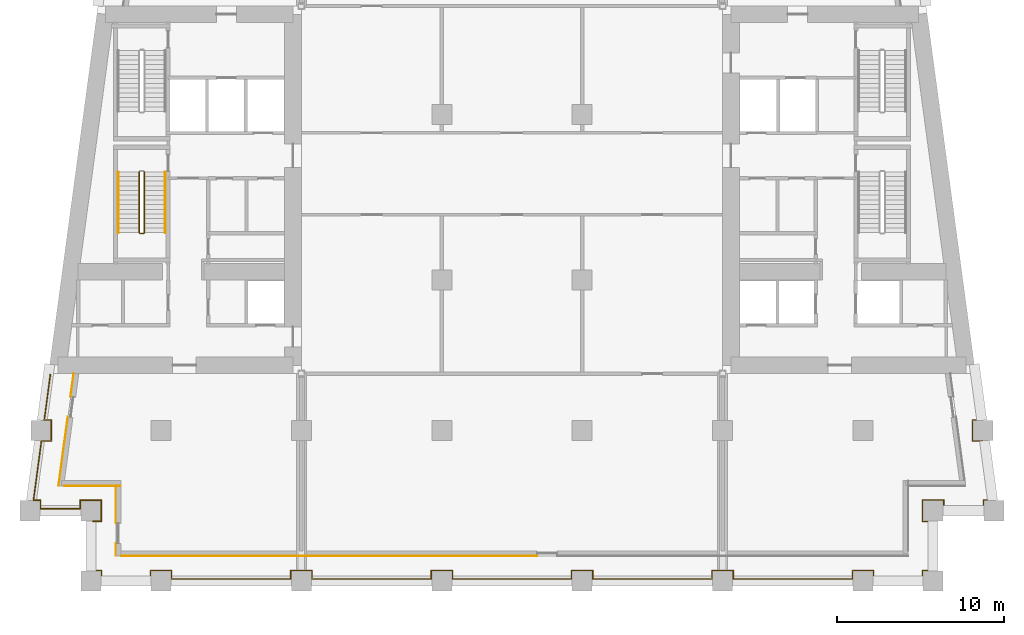
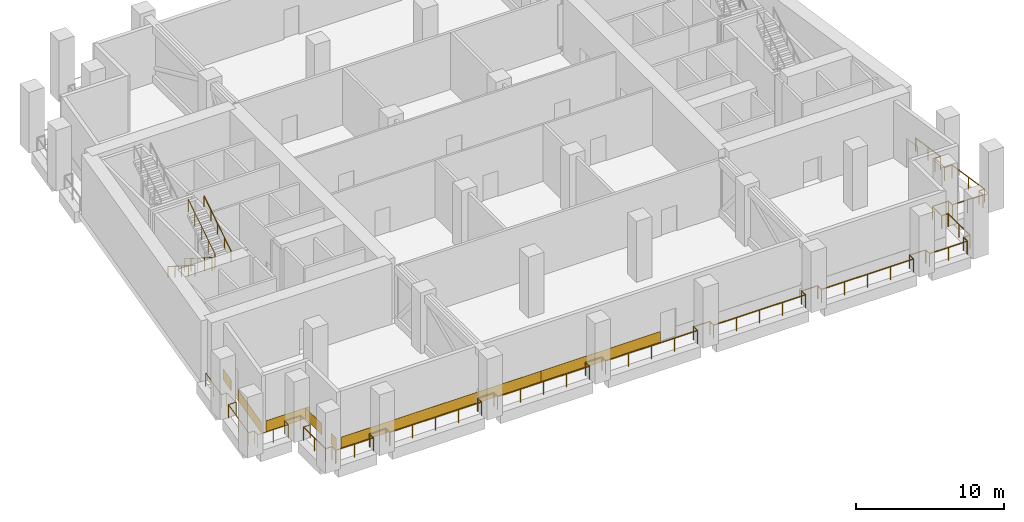
# One storey, part 8 of 11: 7 coverings, 5 railings.
"""IFC4 building model written with IfcOpenShell, lengths in metres."""

from ifc_helpers import new_model, si_unit, direction, frame, origin, origin_2d, place, context, subcontext, project, spatial, rectangle, circle, extrude, material, layer, layer_set, type_object, element, save


model = new_model("IFC4")

# Units and contexts
model_context = context("Model", 3, precision=1e-05, world=origin(), true_north=direction((0.0, 1.0)))
body_context = subcontext(model_context, "Body", "Model", "MODEL_VIEW")
ifc_project = project(units=[si_unit("LENGTHUNIT", "METRE"), si_unit("AREAUNIT", "SQUARE_METRE"), si_unit("VOLUMEUNIT", "CUBIC_METRE"), si_unit("PLANEANGLEUNIT", "RADIAN"), si_unit("MASSUNIT", "GRAM", prefix="KILO")], contexts=[model_context])

# Site, building, storey
site_placement = place(None, origin())
site = spatial("IfcSite", under=ifc_project, at=site_placement, CompositionType="ELEMENT")
building_placement = place(site_placement, origin())
building = spatial("IfcBuilding", under=site, at=building_placement, Name="Candeia Pilgrim Tower and Theatre", CompositionType="ELEMENT")
storey_placement = place(building_placement, frame((0.0, 0.0, 142.800048828125)))
storey = spatial("IfcBuildingStorey", under=building, at=storey_placement, Name="L33", CompositionType="ELEMENT", Elevation=142.800048828125)

# Railings
ifc_material_1 = material(Name="Stainless steel balustrade", Category="steel")
railing_type_1 = type_object("IfcRailingType", Name="G1 loggia guard 1100", PredefinedType="GUARDRAIL", material=ifc_material_1)
railing_1_placement = place(storey_placement, frame((88.320068359375, 101.570068359375, 0.0)))
element("IfcRailing", 1, at=railing_1_placement, inside=storey, type_object=railing_type_1, Name="Guard L33.1", PredefinedType="GUARDRAIL", context=body_context, shape_type="SweptSolid", body=[
    extrude(circle(Radius=0.02392578125, at=origin_2d()), frame((0.0, 0.0, 1.076171875), z_axis=(1.0, 0.0, 0.0), x_axis=(0.0, 1.0, 0.0)), (0.0, 0.0, 1.0), 0.510009765625),
    extrude(circle(Radius=0.02392578125, at=origin_2d()), frame((0.510009765625, 0.0, 1.076171875), z_axis=(0.0, 1.0, 0.0), x_axis=(-1.0, 0.0, 0.0)), (0.0, 0.0, 1.0), 1.260009765625),
    extrude(circle(Radius=0.02392578125, at=origin_2d()), frame((0.510009765625, 1.260009765625, 1.076171875), z_axis=(-1.0, 0.0, 0.0), x_axis=(0.0, -1.0, 0.0)), (0.0, 0.0, 1.0), 1.260009765625),
    extrude(circle(Radius=0.02392578125, at=origin_2d()), frame((-0.75, 1.260009765625, 1.076171875), z_axis=(0.0, -1.0, 0.0), x_axis=(1.0, 0.0, 0.0)), (0.0, 0.0, 1.0), 0.510009765625),
    extrude(circle(Radius=0.02392578125, at=origin_2d()), frame((-0.75, 0.75, 1.076171875), z_axis=(-1.0, 0.0, 0.0), x_axis=(0.0, -1.0, 0.0)), (0.0, 0.0, 1.0), 2.374755859375),
    extrude(circle(Radius=0.02392578125, at=origin_2d()), frame((-3.124755859375, 0.75, 1.076171875), z_axis=(0.0, 1.0, 0.0), x_axis=(-1.0, 0.0, 0.0)), (0.0, 0.0, 1.0), 0.510009765625),
    extrude(circle(Radius=0.02392578125, at=origin_2d()), frame((-3.124755859375, 1.260009765625, 1.076171875), z_axis=(-1.0, 0.0, 0.0), x_axis=(0.0, -1.0, 0.0)), (0.0, 0.0, 1.0), 0.424072265625),
    extrude(circle(Radius=0.02392578125, at=origin_2d()), frame((-3.548828125, 1.260009765625, 1.076171875), z_axis=(0.133417176173, 0.991059966451, 0.0), x_axis=(-0.991059966451, 0.133417176173, 0.0)), (0.0, 0.0, 1.0), 3.572021484375),
    extrude(circle(Radius=0.02392578125, at=origin_2d()), frame((-3.072265625, 4.800048828125, 1.076171875), z_axis=(1.0, 0.0, 0.0), x_axis=(0.0, 1.0, 0.0)), (0.0, 0.0, 1.0), 0.59375),
    extrude(circle(Radius=0.02392578125, at=origin_2d()), frame((-2.478515625, 4.800048828125, 1.076171875), z_axis=(0.0, 1.0, 0.0), x_axis=(-1.0, 0.0, 0.0)), (0.0, 0.0, 1.0), 1.259765625),
    extrude(circle(Radius=0.02392578125, at=origin_2d()), frame((-2.478515625, 6.059814453125, 1.076171875), z_axis=(-1.0, 0.0, 0.0), x_axis=(0.0, -1.0, 0.0)), (0.0, 0.0, 1.0), 0.424072265625),
    extrude(circle(Radius=0.02392578125, at=origin_2d()), frame((-2.902587890625, 6.059814453125, 1.076171875), z_axis=(0.1334220927, 0.991059304572, 0.0), x_axis=(-0.991059304572, 0.1334220927, 0.0)), (0.0, 0.0, 1.0), 2.744873046875),
    extrude(circle(Radius=0.02099609375, at=origin_2d()), origin(), (0.0, 0.0, 1.0), 1.052001953125),
    extrude(circle(Radius=0.02099609375, at=origin_2d()), frame((0.510009765625, 0.0, 0.0)), (0.0, 0.0, 1.0), 1.052001953125),
    extrude(circle(Radius=0.02099609375, at=origin_2d()), frame((0.510009765625, 1.260009765625, 0.0)), (0.0, 0.0, 1.0), 1.052001953125),
    extrude(circle(Radius=0.02099609375, at=origin_2d()), frame((-0.75, 1.260009765625, 0.0)), (0.0, 0.0, 1.0), 1.052001953125),
    extrude(circle(Radius=0.02099609375, at=origin_2d()), frame((-0.75, 0.75, 0.0)), (0.0, 0.0, 1.0), 1.052001953125),
    extrude(circle(Radius=0.02099609375, at=origin_2d()), frame((-1.9375, 0.75, 0.0)), (0.0, 0.0, 1.0), 1.052001953125),
    extrude(circle(Radius=0.02099609375, at=origin_2d()), frame((-3.124755859375, 0.75, 0.0)), (0.0, 0.0, 1.0), 1.052001953125),
    extrude(circle(Radius=0.02099609375, at=origin_2d()), frame((-3.124755859375, 1.260009765625, 0.0)), (0.0, 0.0, 1.0), 1.052001953125),
    extrude(circle(Radius=0.02099609375, at=origin_2d()), frame((-3.548828125, 1.260009765625, 0.0)), (0.0, 0.0, 1.0), 1.052001953125),
    extrude(circle(Radius=0.02099609375, at=origin_2d()), frame((-3.310546875, 3.030029296875, 0.0)), (0.0, 0.0, 1.0), 1.052001953125),
    extrude(circle(Radius=0.02099609375, at=origin_2d()), frame((-3.072265625, 4.800048828125, 0.0)), (0.0, 0.0, 1.0), 1.052001953125),
    extrude(circle(Radius=0.02099609375, at=origin_2d()), frame((-2.478515625, 4.800048828125, 0.0)), (0.0, 0.0, 1.0), 1.052001953125),
    extrude(circle(Radius=0.02099609375, at=origin_2d()), frame((-2.478515625, 6.059814453125, 0.0)), (0.0, 0.0, 1.0), 1.052001953125),
    extrude(circle(Radius=0.02099609375, at=origin_2d()), frame((-2.902587890625, 6.059814453125, 0.0)), (0.0, 0.0, 1.0), 1.052001953125),
    extrude(circle(Radius=0.02099609375, at=origin_2d()), frame((-2.719482421875, 7.419921875, 0.0)), (0.0, 0.0, 1.0), 1.052001953125),
    extrude(circle(Radius=0.02099609375, at=origin_2d()), frame((-2.536376953125, 8.780029296875, 0.0)), (0.0, 0.0, 1.0), 1.052001953125),
])
railing_2_placement = place(storey_placement, frame((141.016357421875, 110.35009765625, 0.0)))
element("IfcRailing", 2, at=railing_2_placement, inside=storey, type_object=railing_type_1, Name="Guard L33.3", PredefinedType="GUARDRAIL", context=body_context, shape_type="SweptSolid", body=[
    extrude(circle(Radius=0.02392578125, at=origin_2d()), frame((0.0, 0.0, 1.076171875), z_axis=(0.1334220927, -0.991059304572, 0.0), x_axis=(0.991059304572, 0.1334220927, 0.0)), (0.0, 0.0, 1.0), 2.744873046875),
    extrude(circle(Radius=0.02392578125, at=origin_2d()), frame((0.3662109375, -2.72021484375, 1.076171875), z_axis=(-1.0, 0.0, 0.0), x_axis=(0.0, -1.0, 0.0)), (0.0, 0.0, 1.0), 0.424072265625),
    extrude(circle(Radius=0.02392578125, at=origin_2d()), frame((-0.057861328125, -2.72021484375, 1.076171875), z_axis=(0.0, -1.0, 0.0), x_axis=(1.0, 0.0, 0.0)), (0.0, 0.0, 1.0), 1.259765625),
    extrude(circle(Radius=0.02392578125, at=origin_2d()), frame((-0.057861328125, -3.97998046875, 1.076171875), z_axis=(1.0, 0.0, 0.0), x_axis=(0.0, 1.0, 0.0)), (0.0, 0.0, 1.0), 0.59375),
    extrude(circle(Radius=0.02392578125, at=origin_2d()), frame((0.535888671875, -3.97998046875, 1.076171875), z_axis=(0.133417176173, -0.991059966451, 0.0), x_axis=(0.991059966451, 0.133417176173, 0.0)), (0.0, 0.0, 1.0), 3.572021484375),
    extrude(circle(Radius=0.02392578125, at=origin_2d()), frame((1.012451171875, -7.52001953125, 1.076171875), z_axis=(-1.0, 0.0, 0.0), x_axis=(0.0, -1.0, 0.0)), (0.0, 0.0, 1.0), 0.424072265625),
    extrude(circle(Radius=0.02392578125, at=origin_2d()), frame((0.58837890625, -7.52001953125, 1.076171875), z_axis=(0.0, -1.0, 0.0), x_axis=(1.0, 0.0, 0.0)), (0.0, 0.0, 1.0), 0.510009765625),
    extrude(circle(Radius=0.02392578125, at=origin_2d()), frame((0.58837890625, -8.030029296875, 1.076171875), z_axis=(-1.0, 0.0, 0.0), x_axis=(0.0, -1.0, 0.0)), (0.0, 0.0, 1.0), 2.374755859375),
    extrude(circle(Radius=0.02392578125, at=origin_2d()), frame((-1.786376953125, -8.030029296875, 1.076171875), z_axis=(0.0, 1.0, 0.0), x_axis=(-1.0, 0.0, 0.0)), (0.0, 0.0, 1.0), 0.510009765625),
    extrude(circle(Radius=0.02392578125, at=origin_2d()), frame((-1.786376953125, -7.52001953125, 1.076171875), z_axis=(-1.0, 0.0, 0.0), x_axis=(0.0, -1.0, 0.0)), (0.0, 0.0, 1.0), 1.260009765625),
    extrude(circle(Radius=0.02392578125, at=origin_2d()), frame((-3.04638671875, -7.52001953125, 1.076171875), z_axis=(0.0, -1.0, 0.0), x_axis=(1.0, 0.0, 0.0)), (0.0, 0.0, 1.0), 1.260009765625),
    extrude(circle(Radius=0.02392578125, at=origin_2d()), frame((-3.04638671875, -8.780029296875, 1.076171875), z_axis=(1.0, 0.0, 0.0), x_axis=(0.0, 1.0, 0.0)), (0.0, 0.0, 1.0), 0.510009765625),
    extrude(circle(Radius=0.02392578125, at=origin_2d()), frame((-2.536376953125, -8.780029296875, 1.076171875), z_axis=(0.0, -1.0, 0.0), x_axis=(1.0, 0.0, 0.0)), (0.0, 0.0, 1.0), 2.940185546875),
    extrude(circle(Radius=0.02392578125, at=origin_2d()), frame((-2.536376953125, -11.72021484375, 1.076171875), z_axis=(-1.0, 0.0, 0.0), x_axis=(0.0, -1.0, 0.0)), (0.0, 0.0, 1.0), 0.510009765625),
    extrude(circle(Radius=0.02392578125, at=origin_2d()), frame((-3.04638671875, -11.72021484375, 1.076171875), z_axis=(0.0, -1.0, 0.0), x_axis=(1.0, 0.0, 0.0)), (0.0, 0.0, 1.0), 0.509765625),
    extrude(circle(Radius=0.02392578125, at=origin_2d()), frame((-3.04638671875, -12.22998046875, 1.076171875), z_axis=(-1.0, 0.0, 0.0), x_axis=(0.0, -1.0, 0.0)), (0.0, 0.0, 1.0), 2.93994140625),
    extrude(circle(Radius=0.02392578125, at=origin_2d()), frame((-5.986328125, -12.22998046875, 1.076171875), z_axis=(0.0, 1.0, 0.0), x_axis=(-1.0, 0.0, 0.0)), (0.0, 0.0, 1.0), 0.509765625),
    extrude(circle(Radius=0.02392578125, at=origin_2d()), frame((-5.986328125, -11.72021484375, 1.076171875), z_axis=(-1.0, 0.0, 0.0), x_axis=(0.0, -1.0, 0.0)), (0.0, 0.0, 1.0), 1.260009765625),
    extrude(circle(Radius=0.02392578125, at=origin_2d()), frame((-7.246337890625, -11.72021484375, 1.076171875), z_axis=(0.0, -1.0, 0.0), x_axis=(1.0, 0.0, 0.0)), (0.0, 0.0, 1.0), 0.509765625),
    extrude(circle(Radius=0.02392578125, at=origin_2d()), frame((-7.246337890625, -12.22998046875, 1.076171875), z_axis=(-1.0, 0.0, 0.0), x_axis=(0.0, -1.0, 0.0)), (0.0, 0.0, 1.0), 7.14013671875),
    extrude(circle(Radius=0.02392578125, at=origin_2d()), frame((-14.386474609375, -12.22998046875, 1.076171875), z_axis=(0.0, 1.0, 0.0), x_axis=(-1.0, 0.0, 0.0)), (0.0, 0.0, 1.0), 0.509765625),
    extrude(circle(Radius=0.02392578125, at=origin_2d()), frame((-14.386474609375, -11.72021484375, 1.076171875), z_axis=(-1.0, 0.0, 0.0), x_axis=(0.0, -1.0, 0.0)), (0.0, 0.0, 1.0), 1.259765625),
    extrude(circle(Radius=0.02392578125, at=origin_2d()), frame((-15.646240234375, -11.72021484375, 1.076171875), z_axis=(0.0, -1.0, 0.0), x_axis=(1.0, 0.0, 0.0)), (0.0, 0.0, 1.0), 0.509765625),
    extrude(circle(Radius=0.02392578125, at=origin_2d()), frame((-15.646240234375, -12.22998046875, 1.076171875), z_axis=(-1.0, 0.0, 0.0), x_axis=(0.0, -1.0, 0.0)), (0.0, 0.0, 1.0), 7.14013671875),
    extrude(circle(Radius=0.02392578125, at=origin_2d()), frame((-22.786376953125, -12.22998046875, 1.076171875), z_axis=(0.0, 1.0, 0.0), x_axis=(-1.0, 0.0, 0.0)), (0.0, 0.0, 1.0), 0.509765625),
    extrude(circle(Radius=0.02392578125, at=origin_2d()), frame((-22.786376953125, -11.72021484375, 1.076171875), z_axis=(-1.0, 0.0, 0.0), x_axis=(0.0, -1.0, 0.0)), (0.0, 0.0, 1.0), 1.260009765625),
    extrude(circle(Radius=0.02392578125, at=origin_2d()), frame((-24.04638671875, -11.72021484375, 1.076171875), z_axis=(0.0, -1.0, 0.0), x_axis=(1.0, 0.0, 0.0)), (0.0, 0.0, 1.0), 0.509765625),
    extrude(circle(Radius=0.02392578125, at=origin_2d()), frame((-24.04638671875, -12.22998046875, 1.076171875), z_axis=(-1.0, 0.0, 0.0), x_axis=(0.0, -1.0, 0.0)), (0.0, 0.0, 1.0), 7.139892578125),
    extrude(circle(Radius=0.02392578125, at=origin_2d()), frame((-31.186279296875, -12.22998046875, 1.076171875), z_axis=(0.0, 1.0, 0.0), x_axis=(-1.0, 0.0, 0.0)), (0.0, 0.0, 1.0), 0.509765625),
    extrude(circle(Radius=0.02392578125, at=origin_2d()), frame((-31.186279296875, -11.72021484375, 1.076171875), z_axis=(-1.0, 0.0, 0.0), x_axis=(0.0, -1.0, 0.0)), (0.0, 0.0, 1.0), 1.260009765625),
    extrude(circle(Radius=0.02392578125, at=origin_2d()), frame((-32.4462890625, -11.72021484375, 1.076171875), z_axis=(0.0, -1.0, 0.0), x_axis=(1.0, 0.0, 0.0)), (0.0, 0.0, 1.0), 0.509765625),
    extrude(circle(Radius=0.02392578125, at=origin_2d()), frame((-32.4462890625, -12.22998046875, 1.076171875), z_axis=(-1.0, 0.0, 0.0), x_axis=(0.0, -1.0, 0.0)), (0.0, 0.0, 1.0), 7.14013671875),
    extrude(circle(Radius=0.02392578125, at=origin_2d()), frame((-39.58642578125, -12.22998046875, 1.076171875), z_axis=(0.0, 1.0, 0.0), x_axis=(-1.0, 0.0, 0.0)), (0.0, 0.0, 1.0), 0.509765625),
    extrude(circle(Radius=0.02392578125, at=origin_2d()), frame((-39.58642578125, -11.72021484375, 1.076171875), z_axis=(-1.0, 0.0, 0.0), x_axis=(0.0, -1.0, 0.0)), (0.0, 0.0, 1.0), 1.260009765625),
    extrude(circle(Radius=0.02392578125, at=origin_2d()), frame((-40.846435546875, -11.72021484375, 1.076171875), z_axis=(0.0, -1.0, 0.0), x_axis=(1.0, 0.0, 0.0)), (0.0, 0.0, 1.0), 0.509765625),
    extrude(circle(Radius=0.02392578125, at=origin_2d()), frame((-40.846435546875, -12.22998046875, 1.076171875), z_axis=(-1.0, 0.0, 0.0), x_axis=(0.0, -1.0, 0.0)), (0.0, 0.0, 1.0), 7.139892578125),
    extrude(circle(Radius=0.02392578125, at=origin_2d()), frame((-47.986328125, -12.22998046875, 1.076171875), z_axis=(0.0, 1.0, 0.0), x_axis=(-1.0, 0.0, 0.0)), (0.0, 0.0, 1.0), 0.509765625),
    extrude(circle(Radius=0.02392578125, at=origin_2d()), frame((-47.986328125, -11.72021484375, 1.076171875), z_axis=(-1.0, 0.0, 0.0), x_axis=(0.0, -1.0, 0.0)), (0.0, 0.0, 1.0), 1.260009765625),
    extrude(circle(Radius=0.02392578125, at=origin_2d()), frame((-49.246337890625, -11.72021484375, 1.076171875), z_axis=(0.0, -1.0, 0.0), x_axis=(1.0, 0.0, 0.0)), (0.0, 0.0, 1.0), 0.509765625),
    extrude(circle(Radius=0.02392578125, at=origin_2d()), frame((-49.246337890625, -12.22998046875, 1.076171875), z_axis=(-1.0, 0.0, 0.0), x_axis=(0.0, -1.0, 0.0)), (0.0, 0.0, 1.0), 2.93994140625),
    extrude(circle(Radius=0.02392578125, at=origin_2d()), frame((-52.186279296875, -12.22998046875, 1.076171875), z_axis=(0.0, 1.0, 0.0), x_axis=(-1.0, 0.0, 0.0)), (0.0, 0.0, 1.0), 0.509765625),
    extrude(circle(Radius=0.02392578125, at=origin_2d()), frame((-52.186279296875, -11.72021484375, 1.076171875), z_axis=(-1.0, 0.0, 0.0), x_axis=(0.0, -1.0, 0.0)), (0.0, 0.0, 1.0), 0.510009765625),
    extrude(circle(Radius=0.02392578125, at=origin_2d()), frame((-52.6962890625, -11.72021484375, 1.076171875), z_axis=(0.0, 1.0, 0.0), x_axis=(-1.0, 0.0, 0.0)), (0.0, 0.0, 1.0), 2.940185546875),
    extrude(circle(Radius=0.02099609375, at=origin_2d()), origin(), (0.0, 0.0, 1.0), 1.052001953125),
    extrude(circle(Radius=0.02099609375, at=origin_2d()), frame((0.18310546875, -1.360107421875, 0.0)), (0.0, 0.0, 1.0), 1.052001953125),
    extrude(circle(Radius=0.02099609375, at=origin_2d()), frame((0.3662109375, -2.72021484375, 0.0)), (0.0, 0.0, 1.0), 1.052001953125),
    extrude(circle(Radius=0.02099609375, at=origin_2d()), frame((-0.057861328125, -2.72021484375, 0.0)), (0.0, 0.0, 1.0), 1.052001953125),
    extrude(circle(Radius=0.02099609375, at=origin_2d()), frame((-0.057861328125, -3.97998046875, 0.0)), (0.0, 0.0, 1.0), 1.052001953125),
    extrude(circle(Radius=0.02099609375, at=origin_2d()), frame((0.535888671875, -3.97998046875, 0.0)), (0.0, 0.0, 1.0), 1.052001953125),
    extrude(circle(Radius=0.02099609375, at=origin_2d()), frame((0.774169921875, -5.75, 0.0)), (0.0, 0.0, 1.0), 1.052001953125),
    extrude(circle(Radius=0.02099609375, at=origin_2d()), frame((1.012451171875, -7.52001953125, 0.0)), (0.0, 0.0, 1.0), 1.052001953125),
    extrude(circle(Radius=0.02099609375, at=origin_2d()), frame((0.58837890625, -7.52001953125, 0.0)), (0.0, 0.0, 1.0), 1.052001953125),
    extrude(circle(Radius=0.02099609375, at=origin_2d()), frame((0.58837890625, -8.030029296875, 0.0)), (0.0, 0.0, 1.0), 1.052001953125),
    extrude(circle(Radius=0.02099609375, at=origin_2d()), frame((-0.59912109375, -8.030029296875, 0.0)), (0.0, 0.0, 1.0), 1.052001953125),
    extrude(circle(Radius=0.02099609375, at=origin_2d()), frame((-1.786376953125, -8.030029296875, 0.0)), (0.0, 0.0, 1.0), 1.052001953125),
    extrude(circle(Radius=0.02099609375, at=origin_2d()), frame((-1.786376953125, -7.52001953125, 0.0)), (0.0, 0.0, 1.0), 1.052001953125),
    extrude(circle(Radius=0.02099609375, at=origin_2d()), frame((-3.04638671875, -7.52001953125, 0.0)), (0.0, 0.0, 1.0), 1.052001953125),
    extrude(circle(Radius=0.02099609375, at=origin_2d()), frame((-3.04638671875, -8.780029296875, 0.0)), (0.0, 0.0, 1.0), 1.052001953125),
    extrude(circle(Radius=0.02099609375, at=origin_2d()), frame((-2.536376953125, -8.780029296875, 0.0)), (0.0, 0.0, 1.0), 1.052001953125),
    extrude(circle(Radius=0.02099609375, at=origin_2d()), frame((-2.536376953125, -10.25, 0.0)), (0.0, 0.0, 1.0), 1.052001953125),
    extrude(circle(Radius=0.02099609375, at=origin_2d()), frame((-2.536376953125, -11.72021484375, 0.0)), (0.0, 0.0, 1.0), 1.052001953125),
    extrude(circle(Radius=0.02099609375, at=origin_2d()), frame((-3.04638671875, -11.72021484375, 0.0)), (0.0, 0.0, 1.0), 1.052001953125),
    extrude(circle(Radius=0.02099609375, at=origin_2d()), frame((-3.04638671875, -12.22998046875, 0.0)), (0.0, 0.0, 1.0), 1.052001953125),
    extrude(circle(Radius=0.02099609375, at=origin_2d()), frame((-4.516357421875, -12.22998046875, 0.0)), (0.0, 0.0, 1.0), 1.052001953125),
    extrude(circle(Radius=0.02099609375, at=origin_2d()), frame((-5.986328125, -12.22998046875, 0.0)), (0.0, 0.0, 1.0), 1.052001953125),
    extrude(circle(Radius=0.02099609375, at=origin_2d()), frame((-5.986328125, -11.72021484375, 0.0)), (0.0, 0.0, 1.0), 1.052001953125),
    extrude(circle(Radius=0.02099609375, at=origin_2d()), frame((-7.246337890625, -11.72021484375, 0.0)), (0.0, 0.0, 1.0), 1.052001953125),
    extrude(circle(Radius=0.02099609375, at=origin_2d()), frame((-7.246337890625, -12.22998046875, 0.0)), (0.0, 0.0, 1.0), 1.052001953125),
    extrude(circle(Radius=0.02099609375, at=origin_2d()), frame((-9.03125, -12.22998046875, 0.0)), (0.0, 0.0, 1.0), 1.052001953125),
    extrude(circle(Radius=0.02099609375, at=origin_2d()), frame((-10.81640625, -12.22998046875, 0.0)), (0.0, 0.0, 1.0), 1.052001953125),
    extrude(circle(Radius=0.02099609375, at=origin_2d()), frame((-12.6015625, -12.22998046875, 0.0)), (0.0, 0.0, 1.0), 1.052001953125),
    extrude(circle(Radius=0.02099609375, at=origin_2d()), frame((-14.386474609375, -12.22998046875, 0.0)), (0.0, 0.0, 1.0), 1.052001953125),
    extrude(circle(Radius=0.02099609375, at=origin_2d()), frame((-14.386474609375, -11.72021484375, 0.0)), (0.0, 0.0, 1.0), 1.052001953125),
    extrude(circle(Radius=0.02099609375, at=origin_2d()), frame((-15.646240234375, -11.72021484375, 0.0)), (0.0, 0.0, 1.0), 1.052001953125),
    extrude(circle(Radius=0.02099609375, at=origin_2d()), frame((-15.646240234375, -12.22998046875, 0.0)), (0.0, 0.0, 1.0), 1.052001953125),
    extrude(circle(Radius=0.02099609375, at=origin_2d()), frame((-17.43115234375, -12.22998046875, 0.0)), (0.0, 0.0, 1.0), 1.052001953125),
    extrude(circle(Radius=0.02099609375, at=origin_2d()), frame((-19.21630859375, -12.22998046875, 0.0)), (0.0, 0.0, 1.0), 1.052001953125),
    extrude(circle(Radius=0.02099609375, at=origin_2d()), frame((-21.00146484375, -12.22998046875, 0.0)), (0.0, 0.0, 1.0), 1.052001953125),
    extrude(circle(Radius=0.02099609375, at=origin_2d()), frame((-22.786376953125, -12.22998046875, 0.0)), (0.0, 0.0, 1.0), 1.052001953125),
    extrude(circle(Radius=0.02099609375, at=origin_2d()), frame((-22.786376953125, -11.72021484375, 0.0)), (0.0, 0.0, 1.0), 1.052001953125),
    extrude(circle(Radius=0.02099609375, at=origin_2d()), frame((-24.04638671875, -11.72021484375, 0.0)), (0.0, 0.0, 1.0), 1.052001953125),
    extrude(circle(Radius=0.02099609375, at=origin_2d()), frame((-24.04638671875, -12.22998046875, 0.0)), (0.0, 0.0, 1.0), 1.052001953125),
    extrude(circle(Radius=0.02099609375, at=origin_2d()), frame((-25.831298828125, -12.22998046875, 0.0)), (0.0, 0.0, 1.0), 1.052001953125),
    extrude(circle(Radius=0.02099609375, at=origin_2d()), frame((-27.6162109375, -12.22998046875, 0.0)), (0.0, 0.0, 1.0), 1.052001953125),
    extrude(circle(Radius=0.02099609375, at=origin_2d()), frame((-29.4013671875, -12.22998046875, 0.0)), (0.0, 0.0, 1.0), 1.052001953125),
    extrude(circle(Radius=0.02099609375, at=origin_2d()), frame((-31.186279296875, -12.22998046875, 0.0)), (0.0, 0.0, 1.0), 1.052001953125),
    extrude(circle(Radius=0.02099609375, at=origin_2d()), frame((-31.186279296875, -11.72021484375, 0.0)), (0.0, 0.0, 1.0), 1.052001953125),
    extrude(circle(Radius=0.02099609375, at=origin_2d()), frame((-32.4462890625, -11.72021484375, 0.0)), (0.0, 0.0, 1.0), 1.052001953125),
    extrude(circle(Radius=0.02099609375, at=origin_2d()), frame((-32.4462890625, -12.22998046875, 0.0)), (0.0, 0.0, 1.0), 1.052001953125),
    extrude(circle(Radius=0.02099609375, at=origin_2d()), frame((-34.2314453125, -12.22998046875, 0.0)), (0.0, 0.0, 1.0), 1.052001953125),
    extrude(circle(Radius=0.02099609375, at=origin_2d()), frame((-36.016357421875, -12.22998046875, 0.0)), (0.0, 0.0, 1.0), 1.052001953125),
    extrude(circle(Radius=0.02099609375, at=origin_2d()), frame((-37.80126953125, -12.22998046875, 0.0)), (0.0, 0.0, 1.0), 1.052001953125),
    extrude(circle(Radius=0.02099609375, at=origin_2d()), frame((-39.58642578125, -12.22998046875, 0.0)), (0.0, 0.0, 1.0), 1.052001953125),
    extrude(circle(Radius=0.02099609375, at=origin_2d()), frame((-39.58642578125, -11.72021484375, 0.0)), (0.0, 0.0, 1.0), 1.052001953125),
    extrude(circle(Radius=0.02099609375, at=origin_2d()), frame((-40.846435546875, -11.72021484375, 0.0)), (0.0, 0.0, 1.0), 1.052001953125),
    extrude(circle(Radius=0.02099609375, at=origin_2d()), frame((-40.846435546875, -12.22998046875, 0.0)), (0.0, 0.0, 1.0), 1.052001953125),
    extrude(circle(Radius=0.02099609375, at=origin_2d()), frame((-42.63134765625, -12.22998046875, 0.0)), (0.0, 0.0, 1.0), 1.052001953125),
    extrude(circle(Radius=0.02099609375, at=origin_2d()), frame((-44.41650390625, -12.22998046875, 0.0)), (0.0, 0.0, 1.0), 1.052001953125),
    extrude(circle(Radius=0.02099609375, at=origin_2d()), frame((-46.201416015625, -12.22998046875, 0.0)), (0.0, 0.0, 1.0), 1.052001953125),
    extrude(circle(Radius=0.02099609375, at=origin_2d()), frame((-47.986328125, -12.22998046875, 0.0)), (0.0, 0.0, 1.0), 1.052001953125),
    extrude(circle(Radius=0.02099609375, at=origin_2d()), frame((-47.986328125, -11.72021484375, 0.0)), (0.0, 0.0, 1.0), 1.052001953125),
    extrude(circle(Radius=0.02099609375, at=origin_2d()), frame((-49.246337890625, -11.72021484375, 0.0)), (0.0, 0.0, 1.0), 1.052001953125),
    extrude(circle(Radius=0.02099609375, at=origin_2d()), frame((-49.246337890625, -12.22998046875, 0.0)), (0.0, 0.0, 1.0), 1.052001953125),
    extrude(circle(Radius=0.02099609375, at=origin_2d()), frame((-50.71630859375, -12.22998046875, 0.0)), (0.0, 0.0, 1.0), 1.052001953125),
    extrude(circle(Radius=0.02099609375, at=origin_2d()), frame((-52.186279296875, -12.22998046875, 0.0)), (0.0, 0.0, 1.0), 1.052001953125),
    extrude(circle(Radius=0.02099609375, at=origin_2d()), frame((-52.186279296875, -11.72021484375, 0.0)), (0.0, 0.0, 1.0), 1.052001953125),
    extrude(circle(Radius=0.02099609375, at=origin_2d()), frame((-52.6962890625, -11.72021484375, 0.0)), (0.0, 0.0, 1.0), 1.052001953125),
    extrude(circle(Radius=0.02099609375, at=origin_2d()), frame((-52.6962890625, -10.25, 0.0)), (0.0, 0.0, 1.0), 1.052001953125),
    extrude(circle(Radius=0.02099609375, at=origin_2d()), frame((-52.6962890625, -8.780029296875, 0.0)), (0.0, 0.0, 1.0), 1.052001953125),
])

# Coverings
ifc_material_2 = material(Name="Glazed ceramic tile red")
ifc_layer_1 = layer(ifc_material_2, 0.02001953125)
ifc_layer_set_1 = layer_set([ifc_layer_1], Name="Glazed ceramic tile red")
covering_type_1 = type_object("IfcCoveringType", Name="Glazed ceramic tile red", PredefinedType="CLADDING", material=ifc_layer_set_1)
covering_1_placement = place(storey_placement, frame((110.25, 99.489990234375, 0.0), z_axis=(0.0, 0.0, 1.0), x_axis=(1.0, 0.0, 0.0)))
element("IfcCovering", 3, at=covering_1_placement, inside=storey, type_object=covering_type_1, Name="Tile cladding red L33", PredefinedType="CLADDING", context=body_context, shape_type="SweptSolid", body=[
    extrude(rectangle(XDim=9.300048828125, YDim=0.02001953125, at=origin_2d()), origin(), (0.0, 0.0, 1.0), 0.89990234375),
])
ifc_material_3 = material(Name="Glazed ceramic tile rust")
ifc_layer_2 = layer(ifc_material_3, 0.02001953125)
ifc_layer_set_2 = layer_set([ifc_layer_2], Name="Glazed ceramic tile rust")
covering_type_2 = type_object("IfcCoveringType", Name="Glazed ceramic tile rust", PredefinedType="CLADDING", material=ifc_layer_set_2)
covering_2_placement = place(storey_placement, frame((97.81005859375, 99.489990234375, 0.0), z_axis=(0.0, 0.0, 1.0), x_axis=(1.0, 0.0, 0.0)))
element("IfcCovering", 4, at=covering_2_placement, inside=storey, type_object=covering_type_2, Name="Tile cladding rust L33", PredefinedType="CLADDING", context=body_context, shape_type="SweptSolid", body=[
    extrude(rectangle(XDim=15.580078125, YDim=0.02001953125, at=origin_2d()), origin(), (0.0, 0.0, 1.0), 0.89990234375),
])
covering_3_placement = place(storey_placement, frame((87.0810546875, 109.71875, 0.0), z_axis=(0.0, 0.0, 1.0), x_axis=(-0.133412012145, -0.991060661622, 0.0)))
element("IfcCovering", 5, at=covering_3_placement, inside=storey, type_object=covering_type_2, Name="Tile cladding rust L33", PredefinedType="CLADDING", context=body_context, shape_type="SweptSolid", body=[
    extrude(rectangle(XDim=1.41796875, YDim=0.02001953125, at=origin_2d()), origin(), (0.0, 0.0, 1.0), 0.89990234375),
])
covering_4_placement = place(storey_placement, frame((86.548583984375, 105.763916015625, 0.0), z_axis=(0.0, 0.0, 1.0), x_axis=(-0.133412012145, -0.991060661622, 0.0)))
element("IfcCovering", 6, at=covering_4_placement, inside=storey, type_object=covering_type_2, Name="Tile cladding rust L33", PredefinedType="CLADDING", context=body_context, shape_type="SweptSolid", body=[
    extrude(rectangle(XDim=4.16259765625, YDim=0.02001953125, at=origin_2d()), origin(), (0.0, 0.0, 1.0), 0.89990234375),
])
covering_5_placement = place(storey_placement, frame((88.311279296875, 103.68994140625, 0.0), z_axis=(0.0, 0.0, 1.0), x_axis=(1.0, 0.0, 0.0)))
element("IfcCovering", 7, at=covering_5_placement, inside=storey, type_object=covering_type_2, Name="Tile cladding rust L33", PredefinedType="CLADDING", context=body_context, shape_type="SweptSolid", body=[
    extrude(rectangle(XDim=3.377685546875, YDim=0.02001953125, at=origin_2d()), origin(), (0.0, 0.0, 1.0), 0.89990234375),
])
covering_6_placement = place(storey_placement, frame((89.68994140625, 102.56494140625, 0.0), z_axis=(0.0, 0.0, 1.0), x_axis=(0.0, -1.0, 0.0)))
element("IfcCovering", 8, at=covering_6_placement, inside=storey, type_object=covering_type_2, Name="Tile cladding rust L33", PredefinedType="CLADDING", context=body_context, shape_type="SweptSolid", body=[
    extrude(rectangle(XDim=2.22998046875, YDim=0.02001953125, at=origin_2d()), origin(), (0.0, 0.0, 1.0), 0.89990234375),
])
covering_7_placement = place(storey_placement, frame((89.68994140625, 99.875, 0.0), z_axis=(0.0, 0.0, 1.0), x_axis=(0.0, -1.0, 0.0)))
element("IfcCovering", 9, at=covering_7_placement, inside=storey, type_object=covering_type_2, Name="Tile cladding rust L33", PredefinedType="CLADDING", context=body_context, shape_type="SweptSolid", body=[
    extrude(rectangle(XDim=0.75, YDim=0.02001953125, at=origin_2d()), origin(), (0.0, 0.0, 1.0), 0.89990234375),
])

# Railings
railing_type_2 = type_object("IfcRailingType", Name="RL-GUARD-1100", PredefinedType="GUARDRAIL", material=ifc_material_1)
railing_3_placement = place(storey_placement, frame((91.10205078125, 122.47509765625, 0.178466796875)))
element("IfcRailing", 10, at=railing_3_placement, inside=storey, type_object=railing_type_2, Name="L33 ST1 stair guard 1", PredefinedType="GUARDRAIL", context=body_context, shape_type="SweptSolid", body=[
    extrude(circle(Radius=0.02392578125, at=origin_2d()), frame((0.0, 0.0, 1.076171875), z_axis=(0.0, -0.843127859045, 0.537713132908), x_axis=(1.0, 0.0, 0.0)), (0.0, 0.0, 1.0), 4.3173828125),
    extrude(circle(Radius=0.02392578125, at=origin_2d()), frame((0.0, -3.64013671875, 3.3974609375), z_axis=(0.707106781187, -0.707106781187, 0.0), x_axis=(0.707106781187, 0.707106781187, 0.0)), (0.0, 0.0, 1.0), 0.07080078125),
    extrude(circle(Radius=0.02392578125, at=origin_2d()), frame((0.050048828125, -3.690185546875, 3.3974609375), z_axis=(1.0, 0.0, 0.0), x_axis=(0.0, 1.0, 0.0)), (0.0, 0.0, 1.0), 0.199951171875),
    extrude(circle(Radius=0.02392578125, at=origin_2d()), frame((0.25, -3.690185546875, 3.3974609375), z_axis=(0.260684529273, 0.260684529273, 0.929562882432), x_axis=(-0.707106781187, 0.707106781187, 0.0)), (0.0, 0.0, 1.0), 0.19189453125),
    extrude(circle(Radius=0.02392578125, at=origin_2d()), frame((0.300048828125, -3.64013671875, 3.576171875), z_axis=(0.0, 0.843127859045, 0.537713132908), x_axis=(-1.0, 0.0, 0.0)), (0.0, 0.0, 1.0), 4.3173828125),
    extrude(circle(Radius=0.02099609375, at=origin_2d()), origin(), (0.0, 0.0, 1.0), 1.052001953125),
    extrude(circle(Radius=0.02099609375, at=origin_2d()), frame((0.0, -0.91015625, 0.580322265625)), (0.0, 0.0, 1.0), 1.052001953125),
    extrude(circle(Radius=0.02099609375, at=origin_2d()), frame((0.0, -1.820068359375, 1.16064453125)), (0.0, 0.0, 1.0), 1.052001953125),
    extrude(circle(Radius=0.02099609375, at=origin_2d()), frame((0.0, -2.72998046875, 1.7412109375)), (0.0, 0.0, 1.0), 1.052001953125),
    extrude(circle(Radius=0.02099609375, at=origin_2d()), frame((0.0, -3.64013671875, 2.321533203125)), (0.0, 0.0, 1.0), 1.052001953125),
    extrude(circle(Radius=0.02099609375, at=origin_2d()), frame((0.050048828125, -3.690185546875, 2.321533203125)), (0.0, 0.0, 1.0), 1.052001953125),
    extrude(circle(Radius=0.02099609375, at=origin_2d()), frame((0.25, -3.690185546875, 2.321533203125)), (0.0, 0.0, 1.0), 1.052001953125),
    extrude(circle(Radius=0.02099609375, at=origin_2d()), frame((0.300048828125, -3.64013671875, 2.5)), (0.0, 0.0, 1.0), 1.052001953125),
    extrude(circle(Radius=0.02099609375, at=origin_2d()), frame((0.300048828125, -2.72998046875, 3.080322265625)), (0.0, 0.0, 1.0), 1.052001953125),
    extrude(circle(Radius=0.02099609375, at=origin_2d()), frame((0.300048828125, -1.820068359375, 3.66064453125)), (0.0, 0.0, 1.0), 1.052001953125),
    extrude(circle(Radius=0.02099609375, at=origin_2d()), frame((0.300048828125, -0.91015625, 4.2412109375)), (0.0, 0.0, 1.0), 1.052001953125),
    extrude(circle(Radius=0.02099609375, at=origin_2d()), frame((0.300048828125, 0.0, 4.821533203125)), (0.0, 0.0, 1.0), 1.052001953125),
])
ifc_material_4 = material(Name="Stainless steel handrail", Category="steel")
railing_type_3 = type_object("IfcRailingType", Name="RL-HANDRAIL-900", PredefinedType="HANDRAIL", material=ifc_material_4)
railing_4_placement = place(storey_placement, frame((89.85205078125, 122.47509765625, 0.178466796875)))
element("IfcRailing", 11, at=railing_4_placement, inside=storey, type_object=railing_type_3, Name="L33 ST1 stair handrail 1", PredefinedType="HANDRAIL", context=body_context, shape_type="SweptSolid", body=[
    extrude(circle(Radius=0.02392578125, at=origin_2d()), frame((0.0, 0.0, 0.8759765625), z_axis=(0.0, -0.843127859045, 0.537713132908), x_axis=(1.0, 0.0, 0.0)), (0.0, 0.0, 1.0), 4.3173828125),
    extrude(circle(Radius=0.02099609375, at=origin_2d()), origin(), (0.0, 0.0, 1.0), 0.851806640625),
    extrude(circle(Radius=0.02099609375, at=origin_2d()), frame((0.0, -0.91015625, 0.580322265625)), (0.0, 0.0, 1.0), 0.851806640625),
    extrude(circle(Radius=0.02099609375, at=origin_2d()), frame((0.0, -1.820068359375, 1.16064453125)), (0.0, 0.0, 1.0), 0.851806640625),
    extrude(circle(Radius=0.02099609375, at=origin_2d()), frame((0.0, -2.72998046875, 1.7412109375)), (0.0, 0.0, 1.0), 0.851806640625),
    extrude(circle(Radius=0.02099609375, at=origin_2d()), frame((0.0, -3.64013671875, 2.321533203125)), (0.0, 0.0, 1.0), 0.851806640625),
])
railing_5_placement = place(storey_placement, frame((92.652099609375, 118.8349609375, 2.678466796875)))
element("IfcRailing", 12, at=railing_5_placement, inside=storey, type_object=railing_type_3, Name="L33 ST1 stair handrail 2", PredefinedType="HANDRAIL", context=body_context, shape_type="SweptSolid", body=[
    extrude(circle(Radius=0.02392578125, at=origin_2d()), frame((0.0, 0.0, 0.8759765625), z_axis=(0.0, 0.843127859045, 0.537713132908), x_axis=(-1.0, 0.0, 0.0)), (0.0, 0.0, 1.0), 4.3173828125),
    extrude(circle(Radius=0.02099609375, at=origin_2d()), origin(), (0.0, 0.0, 1.0), 0.851806640625),
    extrude(circle(Radius=0.02099609375, at=origin_2d()), frame((0.0, 0.91015625, 0.580322265625)), (0.0, 0.0, 1.0), 0.851806640625),
    extrude(circle(Radius=0.02099609375, at=origin_2d()), frame((0.0, 1.820068359375, 1.16064453125)), (0.0, 0.0, 1.0), 0.851806640625),
    extrude(circle(Radius=0.02099609375, at=origin_2d()), frame((0.0, 2.72998046875, 1.7412109375)), (0.0, 0.0, 1.0), 0.851806640625),
    extrude(circle(Radius=0.02099609375, at=origin_2d()), frame((0.0, 3.64013671875, 2.321533203125)), (0.0, 0.0, 1.0), 0.851806640625),
])

save(model, "model.ifc")
